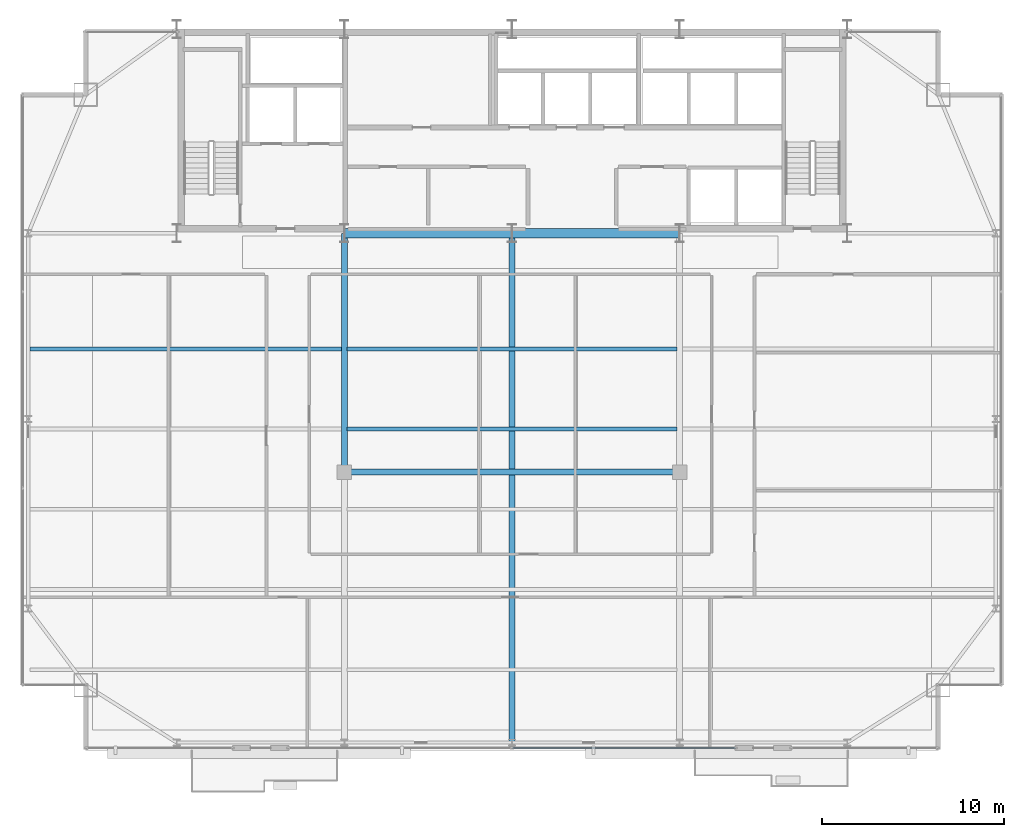
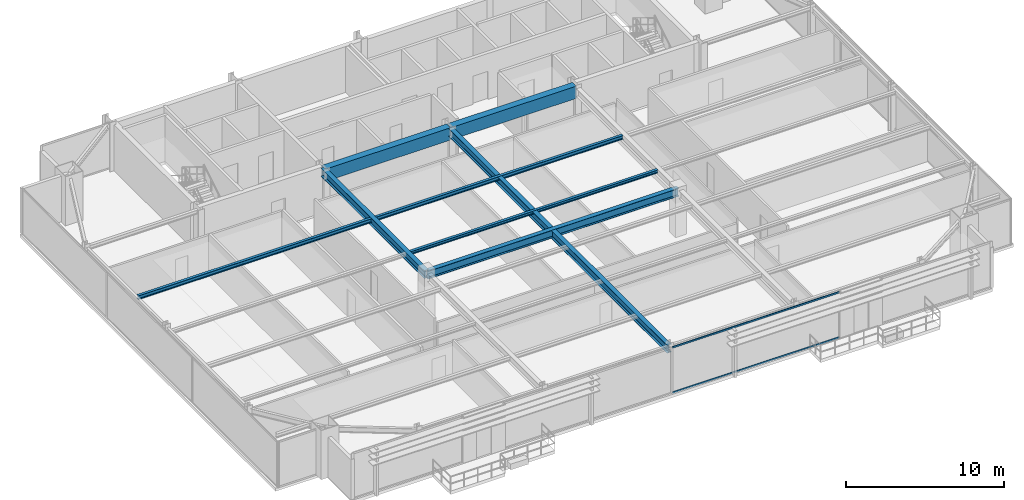
# One storey, part 13 of 31: 8 beams, 2 members, 1 element without a shape of its own.
"""IFC4 building model written with IfcOpenShell, lengths in metres."""

from ifc_helpers import new_model, si_unit, direction, frame, origin, origin_2d, place, context, subcontext, project, spatial, rectangle, hollow_rectangle, i_section, extrude, source, transform, mapped, material, layer, layer_set, material_profile, profile_set, type_object, type_shapes, element, aggregate, save


model = new_model("IFC4")

# Units and contexts
model_context = context("Model", 3, precision=1e-05, world=origin(), true_north=direction((0.0, 1.0)))
body_context = subcontext(model_context, "Body", "Model", "MODEL_VIEW")
ifc_project = project(units=[si_unit("LENGTHUNIT", "METRE"), si_unit("AREAUNIT", "SQUARE_METRE"), si_unit("VOLUMEUNIT", "CUBIC_METRE"), si_unit("PLANEANGLEUNIT", "RADIAN"), si_unit("MASSUNIT", "GRAM", prefix="KILO")], contexts=[model_context])

# Site, building, storey
site_placement = place(None, origin())
site = spatial("IfcSite", under=ifc_project, at=site_placement, CompositionType="ELEMENT")
building_placement = place(site_placement, origin())
building = spatial("IfcBuilding", under=site, at=building_placement, Name="Varnel Quay Broadcast Tower", CompositionType="ELEMENT")
storey_placement = place(building_placement, frame((0.0, 0.0, 183.800048828125)))
storey = spatial("IfcBuildingStorey", under=building, at=storey_placement, Name="L45", CompositionType="ELEMENT", Elevation=183.800048828125)

# Beams
ifc_material_1 = material(Name="Structural Steel CSA G40.21 350W", Category="steel")
ifc_material_profile_1 = material_profile(ifc_material_1, i_section(OverallWidth=0.324951171875, OverallDepth=0.615966796875, WebThickness=0.013916015625, FlangeThickness=0.021484375, FilletRadius=0.01611328125, at=origin_2d()), Name="W610X174")
ifc_profile_set_1 = profile_set([ifc_material_profile_1], Name="Structural Steel CSA G40.21 350W")
beam_type_1 = type_object("IfcBeamType", Name="Girder_W610X174", PredefinedType="BEAM", material=ifc_profile_set_1)
shared_shape_1 = source(origin(), body_context, "Body", "SweptSolid", [
    extrude(i_section(OverallWidth=0.324951171875, OverallDepth=0.615966796875, WebThickness=0.013916015625, FlangeThickness=0.021484375, FilletRadius=0.01611328125, at=origin_2d()), origin(), (0.0, 0.0, 1.0), 13.070068359375),
])
beam_1_placement = place(storey_placement, frame((24.800048828125, 22.510009765625, 3.241943359375), z_axis=(0.0, 1.0, 0.0), x_axis=(-1.0, 0.0, 0.0)))
element("IfcBeam", 1, at=beam_1_placement, inside=storey, type_object=beam_type_1, Name="L45 Primary Girder IC-01-CC-S2", PredefinedType="BEAM", context=body_context, shape_type="MappedRepresentation", body=[
    mapped(shared_shape_1, transform((0.0, 0.0, 0.0), x_axis=(1.0, 0.0, 0.0), y_axis=(0.0, 1.0, 0.0), z_axis=(0.0, 0.0, 1.0), scale=1.0)),
])
shared_shape_2 = source(origin(), body_context, "Body", "SweptSolid", [
    extrude(i_section(OverallWidth=0.324951171875, OverallDepth=0.615966796875, WebThickness=0.013916015625, FlangeThickness=0.021484375, FilletRadius=0.01611328125, at=origin_2d()), origin(), (0.0, 0.0, 1.0), 18.35986328125),
])
beam_2_placement = place(storey_placement, frame((24.820068359375, 22.489990234375, 3.241943359375), z_axis=(1.0, 0.0, 0.0), x_axis=(0.0, 1.0, 0.0)))
element("IfcBeam", 2, at=beam_2_placement, inside=storey, type_object=beam_type_1, Name="L45 Interior Spine Girder", PredefinedType="BEAM", context=body_context, shape_type="MappedRepresentation", body=[
    mapped(shared_shape_2, transform((0.0, 0.0, 0.0), x_axis=(1.0, 0.0, 0.0), y_axis=(0.0, 1.0, 0.0), z_axis=(0.0, 0.0, 1.0), scale=1.0)),
])
shared_shape_3 = source(origin(), body_context, "Body", "SweptSolid", [
    extrude(i_section(OverallWidth=0.324951171875, OverallDepth=0.615966796875, WebThickness=0.013916015625, FlangeThickness=0.021484375, FilletRadius=0.01611328125, at=origin_2d()), origin(), (0.0, 0.0, 1.0), 27.91015625),
])
type_shapes(beam_type_1, [shared_shape_1, shared_shape_2, shared_shape_3])
beam_3_placement = place(storey_placement, frame((34.0, 7.669921875, 3.241943359375), z_axis=(0.0, 1.0, 0.0), x_axis=(-1.0, 0.0, 0.0)))
element("IfcBeam", 3, at=beam_3_placement, inside=storey, type_object=beam_type_1, Name="L45 Central Bay Girder", PredefinedType="BEAM", context=body_context, shape_type="MappedRepresentation", body=[
    mapped(shared_shape_3, transform((0.0, 0.0, 0.0), x_axis=(1.0, 0.0, 0.0), y_axis=(0.0, 1.0, 0.0), z_axis=(0.0, 0.0, 1.0), scale=1.0)),
])
ifc_material_2 = material(Name="Concrete CSA A23.3 C50/60", Category="concrete")
ifc_material_profile_2 = material_profile(ifc_material_2, rectangle(XDim=0.5, YDim=0.949951171875, at=origin_2d()), Name="RC500X950")
ifc_profile_set_2 = profile_set([ifc_material_profile_2], Name="Concrete CSA A23.3 C50/60")
beam_type_2 = type_object("IfcBeamType", Name="Beam_RC500X950", PredefinedType="BEAM", material=ifc_profile_set_2)
shared_shape_4 = source(origin(), body_context, "Body", "SweptSolid", [
    extrude(rectangle(XDim=0.5, YDim=0.949951171875, at=origin_2d()), origin(), (0.0, 0.0, 1.0), 9.159912109375),
])
type_shapes(beam_type_2, [shared_shape_4])
for number, where, z_axis, x_axis, name in (
    (4, (24.820068359375, 35.60009765625, 3.074951171875), (1.0, 0.0, 0.0), (0.0, 1.0, 0.0), "L45 Core Coupling Beam W"),
    (5, (34.02001953125, 35.60009765625, 3.074951171875), (1.0, 0.0, 0.0), (0.0, 1.0, 0.0), "L45 Core Coupling Beam E"),
):
    element("IfcBeam", number, at=place(storey_placement, frame(where, z_axis=z_axis, x_axis=x_axis)), inside=storey, type_object=beam_type_2, Name=name, PredefinedType="BEAM", context=body_context, shape_type="MappedRepresentation", body=[
        mapped(shared_shape_4, transform((0.0, 0.0, 0.0), x_axis=(1.0, 0.0, 0.0), y_axis=(0.0, 1.0, 0.0), z_axis=(0.0, 0.0, 1.0), scale=1.0)),
    ])
ifc_material_profile_3 = material_profile(ifc_material_1, i_section(OverallWidth=0.202880859375, OverallDepth=0.302978515625, WebThickness=0.007568359375, FlangeThickness=0.01318359375, FilletRadius=0.011962890625, at=origin_2d()), Name="W310X60")
ifc_profile_set_3 = profile_set([ifc_material_profile_3], Name="Structural Steel CSA G40.21 350W")
beam_type_3 = type_object("IfcBeamType", Name="Beam_W310X60", PredefinedType="JOIST", material=ifc_profile_set_3)
shared_shape_5 = source(origin(), body_context, "Body", "SweptSolid", [
    extrude(i_section(OverallWidth=0.202880859375, OverallDepth=0.302978515625, WebThickness=0.007568359375, FlangeThickness=0.01318359375, FilletRadius=0.011962890625, at=origin_2d()), origin(), (0.0, 0.0, 1.0), 17.107177734375),
])
beam_4_placement = place(storey_placement, frame((7.535400390625, 29.25, 3.3984375), z_axis=(1.0, 0.0, 0.0), x_axis=(0.0, 1.0, 0.0)))
element("IfcBeam", 6, at=beam_4_placement, inside=storey, type_object=beam_type_3, Name="L45 West Floor Joist 5", PredefinedType="JOIST", context=body_context, shape_type="MappedRepresentation", body=[
    mapped(shared_shape_5, transform((0.0, 0.0, 0.0), x_axis=(1.0, 0.0, 0.0), y_axis=(0.0, 1.0, 0.0), z_axis=(0.0, 0.0, 1.0), scale=1.0)),
])
shared_shape_6 = source(origin(), body_context, "Body", "SweptSolid", [
    extrude(i_section(OverallWidth=0.202880859375, OverallDepth=0.302978515625, WebThickness=0.007568359375, FlangeThickness=0.01318359375, FilletRadius=0.011962890625, at=origin_2d()), origin(), (0.0, 0.0, 1.0), 18.0849609375),
])
type_shapes(beam_type_3, [shared_shape_5, shared_shape_6])
beam_5_placement = place(storey_placement, frame((24.95751953125, 29.25, 3.3984375), z_axis=(1.0, 0.0, 0.0), x_axis=(0.0, 1.0, 0.0)))
element("IfcBeam", 7, at=beam_5_placement, inside=storey, type_object=beam_type_3, Name="L45 Central Floor Joist 5", PredefinedType="JOIST", context=body_context, shape_type="MappedRepresentation", body=[
    mapped(shared_shape_6, transform((0.0, 0.0, 0.0), x_axis=(1.0, 0.0, 0.0), y_axis=(0.0, 1.0, 0.0), z_axis=(0.0, 0.0, 1.0), scale=1.0)),
])
ifc_material_profile_4 = material_profile(ifc_material_1, i_section(OverallWidth=0.201904296875, OverallDepth=0.2470703125, WebThickness=0.00732421875, FlangeThickness=0.010986328125, FilletRadius=0.010986328125, at=origin_2d()), Name="W250X49")
ifc_profile_set_4 = profile_set([ifc_material_profile_4], Name="Structural Steel CSA G40.21 350W")
beam_type_4 = type_object("IfcBeamType", Name="Beam_W250X49", PredefinedType="JOIST", material=ifc_profile_set_4)
shared_shape_7 = source(origin(), body_context, "Body", "SweptSolid", [
    extrude(i_section(OverallWidth=0.201904296875, OverallDepth=0.2470703125, WebThickness=0.00732421875, FlangeThickness=0.010986328125, FilletRadius=0.010986328125, at=origin_2d()), origin(), (0.0, 0.0, 1.0), 18.0849609375),
])
type_shapes(beam_type_4, [shared_shape_7])
beam_6_placement = place(storey_placement, frame((24.95751953125, 24.85009765625, 3.426513671875), z_axis=(1.0, 0.0, 0.0), x_axis=(0.0, 1.0, 0.0)))
element("IfcBeam", 8, at=beam_6_placement, inside=storey, type_object=beam_type_4, Name="L45 Central Floor Joist 4", PredefinedType="JOIST", context=body_context, shape_type="MappedRepresentation", body=[
    mapped(shared_shape_7, transform((0.0, 0.0, 0.0), x_axis=(1.0, 0.0, 0.0), y_axis=(0.0, 1.0, 0.0), z_axis=(0.0, 0.0, 1.0), scale=1.0)),
])

# Curtain wall, members
ifc_material_3 = material(Name="Anodised Bronze Aluminium 6063-T6", Category="aluminium")
ifc_layer = layer(ifc_material_3, 0.18994140625, Name="Anodised Bronze Aluminium 6063-T6")
ifc_layer_set = layer_set([ifc_layer], Name="Anodised Bronze Aluminium 6063-T6")
curtain_wall_type = type_object("IfcCurtainWallType", Name="CW_UpperTower", PredefinedType="NOTDEFINED", material=ifc_layer_set)
curtain_wall_placement = place(storey_placement, origin())
curtain_wall = element("IfcCurtainWall", 9, at=curtain_wall_placement, inside=storey, type_object=curtain_wall_type, Name="L45 South Unitised Curtain Wall 2", PredefinedType="NOTDEFINED")
ifc_material_profile_5 = material_profile(ifc_material_3, hollow_rectangle(XDim=0.06005859375, YDim=0.125, WallThickness=0.0029296875, at=origin_2d()), Name="ALU60X125X3")
ifc_profile_set_5 = profile_set([ifc_material_profile_5], Name="Anodised Bronze Aluminium 6063-T6")
member_type = type_object("IfcMemberType", Name="Tran_CWS-03", PredefinedType="USERDEFINED", material=ifc_profile_set_5)
shared_shape_8 = source(origin(), body_context, "Body", "SweptSolid", [
    extrude(hollow_rectangle(XDim=0.06005859375, YDim=0.125, WallThickness=0.0029296875, at=origin_2d()), origin(), (0.0, 0.0, 1.0), 12.222412109375),
])
type_shapes(member_type, [shared_shape_8])
member_1_placement = place(storey_placement, frame((34.032470703125, 7.35009765625, 0.030029296875), z_axis=(1.0, 0.0, 0.0), x_axis=(0.0, 1.0, 0.0)))
member_1 = element("IfcMember", 10, at=member_1_placement, type_object=member_type, Name="CWS-03 transom 2.1", ObjectType="TRANSOM", PredefinedType="USERDEFINED", context=body_context, shape_type="MappedRepresentation", body=[
    mapped(shared_shape_8, transform((0.0, 0.0, 0.0), x_axis=(1.0, 0.0, 0.0), y_axis=(0.0, 1.0, 0.0), z_axis=(0.0, 0.0, 1.0), scale=1.0)),
])
member_2_placement = place(storey_placement, frame((34.032470703125, 7.35009765625, 3.52001953125), z_axis=(1.0, 0.0, 0.0), x_axis=(0.0, 1.0, 0.0)))
member_2 = element("IfcMember", 11, at=member_2_placement, type_object=member_type, Name="CWS-03 transom 2.2", ObjectType="TRANSOM", PredefinedType="USERDEFINED", context=body_context, shape_type="MappedRepresentation", body=[
    mapped(shared_shape_8, transform((0.0, 0.0, 0.0), x_axis=(1.0, 0.0, 0.0), y_axis=(0.0, 1.0, 0.0), z_axis=(0.0, 0.0, 1.0), scale=1.0)),
])
aggregate(curtain_wall, [member_1, member_2])

save(model, "model.ifc")
